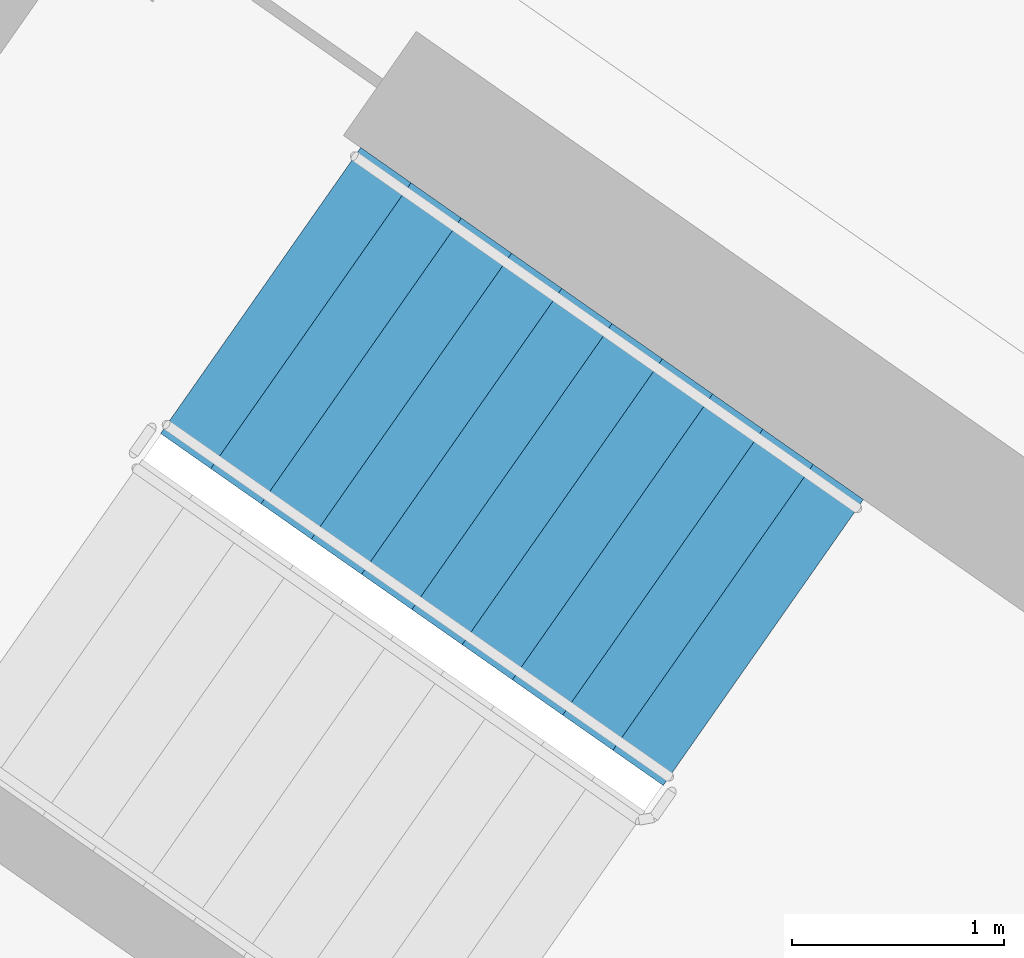
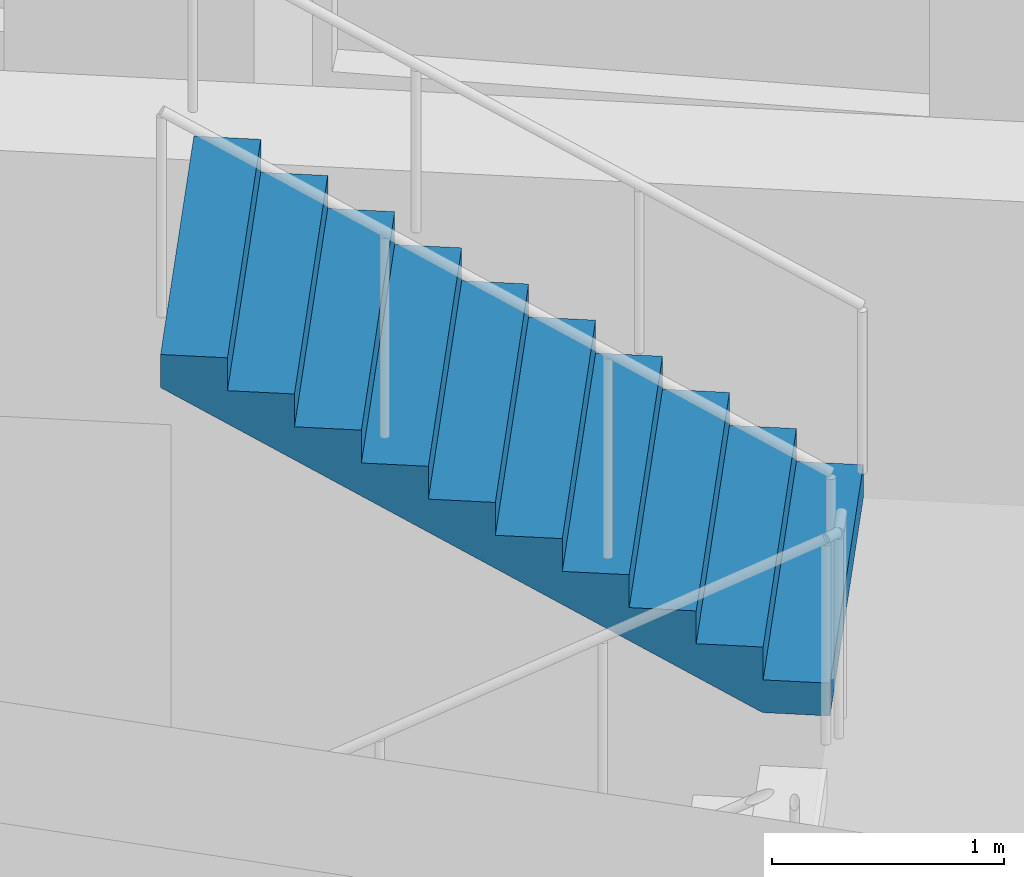
# One storey, part 12 of 26: 1 stair flight, 1 element without a shape of its own.
"""IFC4 building model written with IfcOpenShell, lengths in metres."""

from ifc_helpers import new_model, si_unit, direction, frame, origin, place, context, subcontext, project, spatial, faceted_brep, material, type_object, element, aggregate, save


model = new_model("IFC4")

# Units and contexts
model_context = context("Model", 3, precision=1e-05, world=origin(), true_north=direction((0.0, 1.0)))
body_context = subcontext(model_context, "Body", "Model", "MODEL_VIEW")
ifc_project = project(units=[si_unit("LENGTHUNIT", "METRE"), si_unit("AREAUNIT", "SQUARE_METRE"), si_unit("VOLUMEUNIT", "CUBIC_METRE"), si_unit("PLANEANGLEUNIT", "RADIAN"), si_unit("MASSUNIT", "GRAM", prefix="KILO")], contexts=[model_context])

# Site, building, storey
site_placement = place(None, origin())
site = spatial("IfcSite", under=ifc_project, at=site_placement, CompositionType="ELEMENT")
building_placement = place(site_placement, origin())
building = spatial("IfcBuilding", under=site, at=building_placement, Name="Qamariyya Broadcast Tower", CompositionType="ELEMENT")
storey_placement = place(building_placement, frame((0.0, 0.0, 156.89990234375)))
storey = spatial("IfcBuildingStorey", under=building, at=storey_placement, Name="L36", CompositionType="ELEMENT", Elevation=156.89990234375)

# Stair, stair flight
ifc_material = material(Name="Concrete C50/60", Category="concrete")
stair_type = type_object("IfcStairType", Name="Exit stair 22 risers of 173 mm", PredefinedType="HALF_TURN_STAIR", material=ifc_material)
stair_placement = place(storey_placement, origin())
stair = element("IfcStair", 1, at=stair_placement, inside=storey, type_object=stair_type, Name="L36 Stair W2", PredefinedType="HALF_TURN_STAIR")
stair_flight_type = type_object("IfcStairFlightType", Name="Exit stair flight 11 risers of 173 mm", PredefinedType="STRAIGHT", material=ifc_material)
stair_flight_placement = place(storey_placement, frame((-38.18310546875, -49.3486328125, 1.900146484375), z_axis=(0.0, 0.0, 1.0), x_axis=(-0.819152044289, 0.573576436351, 0.0)))
stair_flight = element("IfcStairFlight", 2, at=stair_flight_placement, type_object=stair_flight_type, Name="ST-W2 flight 2", NumberOfRisers=11, NumberOfTreads=10, PredefinedType="STRAIGHT", RiserHeight=0.172727273, TreadLength=0.29, context=body_context, shape_type="Brep", body=[
    faceted_brep([(0.0, 0.824951171875, 0.0), (0.0, 0.824951171875, 0.172607421875), (0.2900390625, 0.824951171875, 0.172607421875), (0.2900390625, 0.824951171875, 0.345458984375), (0.580078125, 0.824951171875, 0.345458984375), (0.580078125, 0.824951171875, 0.51806640625), (0.8701171875, 0.824951171875, 0.51806640625), (0.8701171875, 0.824951171875, 0.69091796875), (1.159912109375, 0.824951171875, 0.69091796875), (1.159912109375, 0.824951171875, 0.863525390625), (1.449951171875, 0.824951171875, 0.863525390625), (1.449951171875, 0.824951171875, 1.036376953125), (1.739990234375, 0.824951171875, 1.036376953125), (1.739990234375, 0.824951171875, 1.208984375), (2.030029296875, 0.824951171875, 1.208984375), (2.030029296875, 0.824951171875, 1.3818359375), (2.320068359375, 0.824951171875, 1.3818359375), (2.320068359375, 0.824951171875, 1.554443359375), (2.610107421875, 0.824951171875, 1.554443359375), (2.610107421875, 0.824951171875, 1.727294921875), (2.89990234375, 0.824951171875, 1.727294921875), (2.89990234375, 0.824951171875, 1.552734375), (0.29296875, 0.824951171875, 0.0), (0.29296875, -0.824951171875, 0.0), (2.89990234375, -0.824951171875, 1.552734375), (2.89990234375, -0.824951171875, 1.727294921875), (2.610107421875, -0.824951171875, 1.727294921875), (2.610107421875, -0.824951171875, 1.554443359375), (2.320068359375, -0.824951171875, 1.554443359375), (2.320068359375, -0.824951171875, 1.3818359375), (2.030029296875, -0.824951171875, 1.3818359375), (2.030029296875, -0.824951171875, 1.208984375), (1.739990234375, -0.824951171875, 1.208984375), (1.739990234375, -0.824951171875, 1.036376953125), (1.449951171875, -0.824951171875, 1.036376953125), (1.449951171875, -0.824951171875, 0.863525390625), (1.159912109375, -0.824951171875, 0.863525390625), (1.159912109375, -0.824951171875, 0.69091796875), (0.8701171875, -0.824951171875, 0.69091796875), (0.8701171875, -0.824951171875, 0.51806640625), (0.580078125, -0.824951171875, 0.51806640625), (0.580078125, -0.824951171875, 0.345458984375), (0.2900390625, -0.824951171875, 0.345458984375), (0.2900390625, -0.824951171875, 0.172607421875), (0.0, -0.824951171875, 0.172607421875), (0.0, -0.824951171875, 0.0), (0.0, 0.10009765625, 0.0), (0.0, 0.086669921875, 0.0), (0.0, 0.0732421875, 0.0), (0.0, 0.06005859375, 0.0), (0.0, 0.046630859375, 0.0), (0.0, 0.033447265625, 0.0), (0.0, 0.02001953125, 0.0), (0.0, 0.006591796875, 0.0), (0.0, -0.006591796875, 0.0), (0.0, -0.02001953125, 0.0), (0.0, -0.033447265625, 0.0), (0.0, -0.046630859375, 0.0), (0.0, -0.06005859375, 0.0), (0.0, -0.0732421875, 0.0), (0.0, -0.086669921875, 0.0), (0.0, -0.10009765625, 0.0), (0.0, -0.10009765625, 0.172607421875), (0.0, -0.086669921875, 0.172607421875), (0.0, -0.0732421875, 0.172607421875), (0.0, -0.06005859375, 0.172607421875), (0.0, -0.046630859375, 0.172607421875), (0.0, -0.033447265625, 0.172607421875), (0.0, -0.02001953125, 0.172607421875), (0.0, -0.006591796875, 0.172607421875), (0.0, 0.006591796875, 0.172607421875), (0.0, 0.02001953125, 0.172607421875), (0.0, 0.033447265625, 0.172607421875), (0.0, 0.046630859375, 0.172607421875), (0.0, 0.06005859375, 0.172607421875), (0.0, 0.0732421875, 0.172607421875), (0.0, 0.086669921875, 0.172607421875), (0.0, 0.10009765625, 0.172607421875), (0.2900390625, -0.10009765625, 0.172607421875), (0.2900390625, -0.086669921875, 0.172607421875), (0.2900390625, -0.0732421875, 0.172607421875), (0.2900390625, -0.06005859375, 0.172607421875), (0.2900390625, -0.046630859375, 0.172607421875), (0.2900390625, -0.033447265625, 0.172607421875), (0.2900390625, -0.02001953125, 0.172607421875), (0.2900390625, -0.006591796875, 0.172607421875), (0.2900390625, 0.006591796875, 0.172607421875), (0.2900390625, 0.02001953125, 0.172607421875), (0.2900390625, 0.033447265625, 0.172607421875), (0.2900390625, 0.046630859375, 0.172607421875), (0.2900390625, 0.06005859375, 0.172607421875), (0.2900390625, 0.0732421875, 0.172607421875), (0.2900390625, 0.086669921875, 0.172607421875), (0.2900390625, 0.10009765625, 0.172607421875), (0.2900390625, -0.10009765625, 0.345458984375), (0.2900390625, -0.086669921875, 0.345458984375), (0.2900390625, -0.0732421875, 0.345458984375), (0.2900390625, -0.06005859375, 0.345458984375), (0.2900390625, -0.046630859375, 0.345458984375), (0.2900390625, -0.033447265625, 0.345458984375), (0.2900390625, -0.02001953125, 0.345458984375), (0.2900390625, -0.006591796875, 0.345458984375), (0.2900390625, 0.006591796875, 0.345458984375), (0.2900390625, 0.02001953125, 0.345458984375), (0.2900390625, 0.033447265625, 0.345458984375), (0.2900390625, 0.046630859375, 0.345458984375), (0.2900390625, 0.06005859375, 0.345458984375), (0.2900390625, 0.0732421875, 0.345458984375), (0.2900390625, 0.086669921875, 0.345458984375), (0.2900390625, 0.10009765625, 0.345458984375), (0.580078125, -0.10009765625, 0.345458984375), (0.580078125, -0.086669921875, 0.345458984375), (0.580078125, -0.0732421875, 0.345458984375), (0.580078125, -0.06005859375, 0.345458984375), (0.580078125, -0.046630859375, 0.345458984375), (0.580078125, -0.033447265625, 0.345458984375), (0.580078125, -0.02001953125, 0.345458984375), (0.580078125, -0.006591796875, 0.345458984375), (0.580078125, 0.006591796875, 0.345458984375), (0.580078125, 0.02001953125, 0.345458984375), (0.580078125, 0.033447265625, 0.345458984375), (0.580078125, 0.046630859375, 0.345458984375), (0.580078125, 0.06005859375, 0.345458984375), (0.580078125, 0.0732421875, 0.345458984375), (0.580078125, 0.086669921875, 0.345458984375), (0.580078125, 0.10009765625, 0.345458984375), (0.580078125, -0.10009765625, 0.51806640625), (0.580078125, -0.086669921875, 0.51806640625), (0.580078125, -0.0732421875, 0.51806640625), (0.580078125, -0.06005859375, 0.51806640625), (0.580078125, -0.046630859375, 0.51806640625), (0.580078125, -0.033447265625, 0.51806640625), (0.580078125, -0.02001953125, 0.51806640625), (0.580078125, -0.006591796875, 0.51806640625), (0.580078125, 0.006591796875, 0.51806640625), (0.580078125, 0.02001953125, 0.51806640625), (0.580078125, 0.033447265625, 0.51806640625), (0.580078125, 0.046630859375, 0.51806640625), (0.580078125, 0.06005859375, 0.51806640625), (0.580078125, 0.0732421875, 0.51806640625), (0.580078125, 0.086669921875, 0.51806640625), (0.580078125, 0.10009765625, 0.51806640625), (0.8701171875, -0.10009765625, 0.51806640625), (0.8701171875, -0.086669921875, 0.51806640625), (0.8701171875, -0.0732421875, 0.51806640625), (0.8701171875, -0.06005859375, 0.51806640625), (0.8701171875, -0.046630859375, 0.51806640625), (0.8701171875, -0.033447265625, 0.51806640625), (0.8701171875, -0.02001953125, 0.51806640625), (0.8701171875, -0.006591796875, 0.51806640625), (0.8701171875, 0.006591796875, 0.51806640625), (0.8701171875, 0.02001953125, 0.51806640625), (0.8701171875, 0.033447265625, 0.51806640625), (0.8701171875, 0.046630859375, 0.51806640625), (0.8701171875, 0.06005859375, 0.51806640625), (0.8701171875, 0.0732421875, 0.51806640625), (0.8701171875, 0.086669921875, 0.51806640625), (0.8701171875, 0.10009765625, 0.51806640625), (0.8701171875, -0.10009765625, 0.69091796875), (0.8701171875, -0.086669921875, 0.69091796875), (0.8701171875, -0.0732421875, 0.69091796875), (0.8701171875, -0.06005859375, 0.69091796875), (0.8701171875, -0.046630859375, 0.69091796875), (0.8701171875, -0.033447265625, 0.69091796875), (0.8701171875, -0.02001953125, 0.69091796875), (0.8701171875, -0.006591796875, 0.69091796875), (0.8701171875, 0.006591796875, 0.69091796875), (0.8701171875, 0.02001953125, 0.69091796875), (0.8701171875, 0.033447265625, 0.69091796875), (0.8701171875, 0.046630859375, 0.69091796875), (0.8701171875, 0.06005859375, 0.69091796875), (0.8701171875, 0.0732421875, 0.69091796875), (0.8701171875, 0.086669921875, 0.69091796875), (0.8701171875, 0.10009765625, 0.69091796875), (1.159912109375, -0.10009765625, 0.69091796875), (1.159912109375, -0.086669921875, 0.69091796875), (1.159912109375, -0.0732421875, 0.69091796875), (1.159912109375, -0.06005859375, 0.69091796875), (1.159912109375, -0.046630859375, 0.69091796875), (1.159912109375, -0.033447265625, 0.69091796875), (1.159912109375, -0.02001953125, 0.69091796875), (1.159912109375, -0.006591796875, 0.69091796875), (1.159912109375, 0.006591796875, 0.69091796875), (1.159912109375, 0.02001953125, 0.69091796875), (1.159912109375, 0.033447265625, 0.69091796875), (1.159912109375, 0.046630859375, 0.69091796875), (1.159912109375, 0.06005859375, 0.69091796875), (1.159912109375, 0.0732421875, 0.69091796875), (1.159912109375, 0.086669921875, 0.69091796875), (1.159912109375, 0.10009765625, 0.69091796875), (1.159912109375, -0.10009765625, 0.863525390625), (1.159912109375, -0.086669921875, 0.863525390625), (1.159912109375, -0.0732421875, 0.863525390625), (1.159912109375, -0.06005859375, 0.863525390625), (1.159912109375, -0.046630859375, 0.863525390625), (1.159912109375, -0.033447265625, 0.863525390625), (1.159912109375, -0.02001953125, 0.863525390625), (1.159912109375, -0.006591796875, 0.863525390625), (1.159912109375, 0.006591796875, 0.863525390625), (1.159912109375, 0.02001953125, 0.863525390625), (1.159912109375, 0.033447265625, 0.863525390625), (1.159912109375, 0.046630859375, 0.863525390625), (1.159912109375, 0.06005859375, 0.863525390625), (1.159912109375, 0.0732421875, 0.863525390625), (1.159912109375, 0.086669921875, 0.863525390625), (1.159912109375, 0.10009765625, 0.863525390625), (1.449951171875, -0.10009765625, 0.863525390625), (1.449951171875, -0.086669921875, 0.863525390625), (1.449951171875, -0.0732421875, 0.863525390625), (1.449951171875, -0.06005859375, 0.863525390625), (1.449951171875, -0.046630859375, 0.863525390625), (1.449951171875, -0.033447265625, 0.863525390625), (1.449951171875, -0.02001953125, 0.863525390625), (1.449951171875, -0.006591796875, 0.863525390625), (1.449951171875, 0.006591796875, 0.863525390625), (1.449951171875, 0.02001953125, 0.863525390625), (1.449951171875, 0.033447265625, 0.863525390625), (1.449951171875, 0.046630859375, 0.863525390625), (1.449951171875, 0.06005859375, 0.863525390625), (1.449951171875, 0.0732421875, 0.863525390625), (1.449951171875, 0.086669921875, 0.863525390625), (1.449951171875, 0.10009765625, 0.863525390625), (1.449951171875, -0.10009765625, 1.036376953125), (1.449951171875, -0.086669921875, 1.036376953125), (1.449951171875, -0.0732421875, 1.036376953125), (1.449951171875, -0.06005859375, 1.036376953125), (1.449951171875, -0.046630859375, 1.036376953125), (1.449951171875, -0.033447265625, 1.036376953125), (1.449951171875, -0.02001953125, 1.036376953125), (1.449951171875, -0.006591796875, 1.036376953125), (1.449951171875, 0.006591796875, 1.036376953125), (1.449951171875, 0.02001953125, 1.036376953125), (1.449951171875, 0.033447265625, 1.036376953125), (1.449951171875, 0.046630859375, 1.036376953125), (1.449951171875, 0.06005859375, 1.036376953125), (1.449951171875, 0.0732421875, 1.036376953125), (1.449951171875, 0.086669921875, 1.036376953125), (1.449951171875, 0.10009765625, 1.036376953125), (1.739990234375, -0.10009765625, 1.036376953125), (1.739990234375, -0.086669921875, 1.036376953125), (1.739990234375, -0.0732421875, 1.036376953125), (1.739990234375, -0.06005859375, 1.036376953125), (1.739990234375, -0.046630859375, 1.036376953125), (1.739990234375, -0.033447265625, 1.036376953125), (1.739990234375, -0.02001953125, 1.036376953125), (1.739990234375, -0.006591796875, 1.036376953125), (1.739990234375, 0.006591796875, 1.036376953125), (1.739990234375, 0.02001953125, 1.036376953125), (1.739990234375, 0.033447265625, 1.036376953125), (1.739990234375, 0.046630859375, 1.036376953125), (1.739990234375, 0.06005859375, 1.036376953125), (1.739990234375, 0.0732421875, 1.036376953125), (1.739990234375, 0.086669921875, 1.036376953125), (1.739990234375, 0.10009765625, 1.036376953125), (1.739990234375, -0.10009765625, 1.208984375), (1.739990234375, -0.086669921875, 1.208984375), (1.739990234375, -0.0732421875, 1.208984375), (1.739990234375, -0.06005859375, 1.208984375), (1.739990234375, -0.046630859375, 1.208984375), (1.739990234375, -0.033447265625, 1.208984375), (1.739990234375, -0.02001953125, 1.208984375), (1.739990234375, -0.006591796875, 1.208984375), (1.739990234375, 0.006591796875, 1.208984375), (1.739990234375, 0.02001953125, 1.208984375), (1.739990234375, 0.033447265625, 1.208984375), (1.739990234375, 0.046630859375, 1.208984375), (1.739990234375, 0.06005859375, 1.208984375), (1.739990234375, 0.0732421875, 1.208984375), (1.739990234375, 0.086669921875, 1.208984375), (1.739990234375, 0.10009765625, 1.208984375), (2.030029296875, -0.10009765625, 1.208984375), (2.030029296875, -0.086669921875, 1.208984375), (2.030029296875, -0.0732421875, 1.208984375), (2.030029296875, -0.06005859375, 1.208984375), (2.030029296875, -0.046630859375, 1.208984375), (2.030029296875, -0.033447265625, 1.208984375), (2.030029296875, -0.02001953125, 1.208984375), (2.030029296875, -0.006591796875, 1.208984375), (2.030029296875, 0.006591796875, 1.208984375), (2.030029296875, 0.02001953125, 1.208984375), (2.030029296875, 0.033447265625, 1.208984375), (2.030029296875, 0.046630859375, 1.208984375), (2.030029296875, 0.06005859375, 1.208984375), (2.030029296875, 0.0732421875, 1.208984375), (2.030029296875, 0.086669921875, 1.208984375), (2.030029296875, 0.10009765625, 1.208984375), (2.030029296875, -0.10009765625, 1.3818359375), (2.030029296875, -0.086669921875, 1.3818359375), (2.030029296875, -0.0732421875, 1.3818359375), (2.030029296875, -0.06005859375, 1.3818359375), (2.030029296875, -0.046630859375, 1.3818359375), (2.030029296875, -0.033447265625, 1.3818359375), (2.030029296875, -0.02001953125, 1.3818359375), (2.030029296875, -0.006591796875, 1.3818359375), (2.030029296875, 0.006591796875, 1.3818359375), (2.030029296875, 0.02001953125, 1.3818359375), (2.030029296875, 0.033447265625, 1.3818359375), (2.030029296875, 0.046630859375, 1.3818359375), (2.030029296875, 0.06005859375, 1.3818359375), (2.030029296875, 0.0732421875, 1.3818359375), (2.030029296875, 0.086669921875, 1.3818359375), (2.030029296875, 0.10009765625, 1.3818359375), (2.320068359375, -0.10009765625, 1.3818359375), (2.320068359375, -0.086669921875, 1.3818359375), (2.320068359375, -0.0732421875, 1.3818359375), (2.320068359375, -0.06005859375, 1.3818359375), (2.320068359375, -0.046630859375, 1.3818359375), (2.320068359375, -0.033447265625, 1.3818359375), (2.320068359375, -0.02001953125, 1.3818359375), (2.320068359375, -0.006591796875, 1.3818359375), (2.320068359375, 0.006591796875, 1.3818359375), (2.320068359375, 0.02001953125, 1.3818359375), (2.320068359375, 0.033447265625, 1.3818359375), (2.320068359375, 0.046630859375, 1.3818359375), (2.320068359375, 0.06005859375, 1.3818359375), (2.320068359375, 0.0732421875, 1.3818359375), (2.320068359375, 0.086669921875, 1.3818359375), (2.320068359375, 0.10009765625, 1.3818359375), (2.320068359375, -0.10009765625, 1.554443359375), (2.320068359375, -0.086669921875, 1.554443359375), (2.320068359375, -0.0732421875, 1.554443359375), (2.320068359375, -0.06005859375, 1.554443359375), (2.320068359375, -0.046630859375, 1.554443359375), (2.320068359375, -0.033447265625, 1.554443359375), (2.320068359375, -0.02001953125, 1.554443359375), (2.320068359375, -0.006591796875, 1.554443359375), (2.320068359375, 0.006591796875, 1.554443359375), (2.320068359375, 0.02001953125, 1.554443359375), (2.320068359375, 0.033447265625, 1.554443359375), (2.320068359375, 0.046630859375, 1.554443359375), (2.320068359375, 0.06005859375, 1.554443359375), (2.320068359375, 0.0732421875, 1.554443359375), (2.320068359375, 0.086669921875, 1.554443359375), (2.320068359375, 0.10009765625, 1.554443359375), (2.610107421875, -0.10009765625, 1.554443359375), (2.610107421875, -0.086669921875, 1.554443359375), (2.610107421875, -0.0732421875, 1.554443359375), (2.610107421875, -0.06005859375, 1.554443359375), (2.610107421875, -0.046630859375, 1.554443359375), (2.610107421875, -0.033447265625, 1.554443359375), (2.610107421875, -0.02001953125, 1.554443359375), (2.610107421875, -0.006591796875, 1.554443359375), (2.610107421875, 0.006591796875, 1.554443359375), (2.610107421875, 0.02001953125, 1.554443359375), (2.610107421875, 0.033447265625, 1.554443359375), (2.610107421875, 0.046630859375, 1.554443359375), (2.610107421875, 0.06005859375, 1.554443359375), (2.610107421875, 0.0732421875, 1.554443359375), (2.610107421875, 0.086669921875, 1.554443359375), (2.610107421875, 0.10009765625, 1.554443359375), (2.610107421875, -0.10009765625, 1.727294921875), (2.610107421875, -0.086669921875, 1.727294921875), (2.610107421875, -0.0732421875, 1.727294921875), (2.610107421875, -0.06005859375, 1.727294921875), (2.610107421875, -0.046630859375, 1.727294921875), (2.610107421875, -0.033447265625, 1.727294921875), (2.610107421875, -0.02001953125, 1.727294921875), (2.610107421875, -0.006591796875, 1.727294921875), (2.610107421875, 0.006591796875, 1.727294921875), (2.610107421875, 0.02001953125, 1.727294921875), (2.610107421875, 0.033447265625, 1.727294921875), (2.610107421875, 0.046630859375, 1.727294921875), (2.610107421875, 0.06005859375, 1.727294921875), (2.610107421875, 0.0732421875, 1.727294921875), (2.610107421875, 0.086669921875, 1.727294921875), (2.610107421875, 0.10009765625, 1.727294921875), (2.89990234375, -0.10009765625, 1.727294921875), (2.89990234375, -0.086669921875, 1.727294921875), (2.89990234375, -0.0732421875, 1.727294921875), (2.89990234375, -0.06005859375, 1.727294921875), (2.89990234375, -0.046630859375, 1.727294921875), (2.89990234375, -0.033447265625, 1.727294921875), (2.89990234375, -0.02001953125, 1.727294921875), (2.89990234375, -0.006591796875, 1.727294921875), (2.89990234375, 0.006591796875, 1.727294921875), (2.89990234375, 0.02001953125, 1.727294921875), (2.89990234375, 0.033447265625, 1.727294921875), (2.89990234375, 0.046630859375, 1.727294921875), (2.89990234375, 0.06005859375, 1.727294921875), (2.89990234375, 0.0732421875, 1.727294921875), (2.89990234375, 0.086669921875, 1.727294921875), (2.89990234375, 0.10009765625, 1.727294921875), (2.89990234375, -0.10009765625, 1.552734375), (2.89990234375, -0.086669921875, 1.552734375), (2.89990234375, -0.0732421875, 1.552734375), (2.89990234375, -0.06005859375, 1.552734375), (2.89990234375, -0.046630859375, 1.552734375), (2.89990234375, -0.033447265625, 1.552734375), (2.89990234375, -0.02001953125, 1.552734375), (2.89990234375, -0.006591796875, 1.552734375), (2.89990234375, 0.006591796875, 1.552734375), (2.89990234375, 0.02001953125, 1.552734375), (2.89990234375, 0.033447265625, 1.552734375), (2.89990234375, 0.046630859375, 1.552734375), (2.89990234375, 0.06005859375, 1.552734375), (2.89990234375, 0.0732421875, 1.552734375), (2.89990234375, 0.086669921875, 1.552734375), (2.89990234375, 0.10009765625, 1.552734375), (0.29296875, -0.10009765625, 0.0), (0.29296875, -0.086669921875, 0.0), (0.29296875, -0.0732421875, 0.0), (0.29296875, -0.06005859375, 0.0), (0.29296875, -0.046630859375, 0.0), (0.29296875, -0.033447265625, 0.0), (0.29296875, -0.02001953125, 0.0), (0.29296875, -0.006591796875, 0.0), (0.29296875, 0.006591796875, 0.0), (0.29296875, 0.02001953125, 0.0), (0.29296875, 0.033447265625, 0.0), (0.29296875, 0.046630859375, 0.0), (0.29296875, 0.06005859375, 0.0), (0.29296875, 0.0732421875, 0.0), (0.29296875, 0.086669921875, 0.0), (0.29296875, 0.10009765625, 0.0)], [[[0, 1, 2, 3, 4, 5, 6, 7, 8, 9, 10, 11, 12, 13, 14, 15, 16, 17, 18, 19, 20, 21, 22]], [[23, 24, 25, 26, 27, 28, 29, 30, 31, 32, 33, 34, 35, 36, 37, 38, 39, 40, 41, 42, 43, 44, 45]], [[0, 46, 47, 48, 49, 50, 51, 52, 53, 54, 55, 56, 57, 58, 59, 60, 61, 45, 44, 62, 63, 64, 65, 66, 67, 68, 69, 70, 71, 72, 73, 74, 75, 76, 77, 1]], [[1, 77, 76, 75, 74, 73, 72, 71, 70, 69, 68, 67, 66, 65, 64, 63, 62, 44, 43, 78, 79, 80, 81, 82, 83, 84, 85, 86, 87, 88, 89, 90, 91, 92, 93, 2]], [[2, 93, 92, 91, 90, 89, 88, 87, 86, 85, 84, 83, 82, 81, 80, 79, 78, 43, 42, 94, 95, 96, 97, 98, 99, 100, 101, 102, 103, 104, 105, 106, 107, 108, 109, 3]], [[3, 109, 108, 107, 106, 105, 104, 103, 102, 101, 100, 99, 98, 97, 96, 95, 94, 42, 41, 110, 111, 112, 113, 114, 115, 116, 117, 118, 119, 120, 121, 122, 123, 124, 125, 4]], [[4, 125, 124, 123, 122, 121, 120, 119, 118, 117, 116, 115, 114, 113, 112, 111, 110, 41, 40, 126, 127, 128, 129, 130, 131, 132, 133, 134, 135, 136, 137, 138, 139, 140, 141, 5]], [[5, 141, 140, 139, 138, 137, 136, 135, 134, 133, 132, 131, 130, 129, 128, 127, 126, 40, 39, 142, 143, 144, 145, 146, 147, 148, 149, 150, 151, 152, 153, 154, 155, 156, 157, 6]], [[6, 157, 156, 155, 154, 153, 152, 151, 150, 149, 148, 147, 146, 145, 144, 143, 142, 39, 38, 158, 159, 160, 161, 162, 163, 164, 165, 166, 167, 168, 169, 170, 171, 172, 173, 7]], [[7, 173, 172, 171, 170, 169, 168, 167, 166, 165, 164, 163, 162, 161, 160, 159, 158, 38, 37, 174, 175, 176, 177, 178, 179, 180, 181, 182, 183, 184, 185, 186, 187, 188, 189, 8]], [[8, 189, 188, 187, 186, 185, 184, 183, 182, 181, 180, 179, 178, 177, 176, 175, 174, 37, 36, 190, 191, 192, 193, 194, 195, 196, 197, 198, 199, 200, 201, 202, 203, 204, 205, 9]], [[9, 205, 204, 203, 202, 201, 200, 199, 198, 197, 196, 195, 194, 193, 192, 191, 190, 36, 35, 206, 207, 208, 209, 210, 211, 212, 213, 214, 215, 216, 217, 218, 219, 220, 221, 10]], [[10, 221, 220, 219, 218, 217, 216, 215, 214, 213, 212, 211, 210, 209, 208, 207, 206, 35, 34, 222, 223, 224, 225, 226, 227, 228, 229, 230, 231, 232, 233, 234, 235, 236, 237, 11]], [[11, 237, 236, 235, 234, 233, 232, 231, 230, 229, 228, 227, 226, 225, 224, 223, 222, 34, 33, 238, 239, 240, 241, 242, 243, 244, 245, 246, 247, 248, 249, 250, 251, 252, 253, 12]], [[12, 253, 252, 251, 250, 249, 248, 247, 246, 245, 244, 243, 242, 241, 240, 239, 238, 33, 32, 254, 255, 256, 257, 258, 259, 260, 261, 262, 263, 264, 265, 266, 267, 268, 269, 13]], [[13, 269, 268, 267, 266, 265, 264, 263, 262, 261, 260, 259, 258, 257, 256, 255, 254, 32, 31, 270, 271, 272, 273, 274, 275, 276, 277, 278, 279, 280, 281, 282, 283, 284, 285, 14]], [[14, 285, 284, 283, 282, 281, 280, 279, 278, 277, 276, 275, 274, 273, 272, 271, 270, 31, 30, 286, 287, 288, 289, 290, 291, 292, 293, 294, 295, 296, 297, 298, 299, 300, 301, 15]], [[15, 301, 300, 299, 298, 297, 296, 295, 294, 293, 292, 291, 290, 289, 288, 287, 286, 30, 29, 302, 303, 304, 305, 306, 307, 308, 309, 310, 311, 312, 313, 314, 315, 316, 317, 16]], [[16, 317, 316, 315, 314, 313, 312, 311, 310, 309, 308, 307, 306, 305, 304, 303, 302, 29, 28, 318, 319, 320, 321, 322, 323, 324, 325, 326, 327, 328, 329, 330, 331, 332, 333, 17]], [[17, 333, 332, 331, 330, 329, 328, 327, 326, 325, 324, 323, 322, 321, 320, 319, 318, 28, 27, 334, 335, 336, 337, 338, 339, 340, 341, 342, 343, 344, 345, 346, 347, 348, 349, 18]], [[18, 349, 348, 347, 346, 345, 344, 343, 342, 341, 340, 339, 338, 337, 336, 335, 334, 27, 26, 350, 351, 352, 353, 354, 355, 356, 357, 358, 359, 360, 361, 362, 363, 364, 365, 19]], [[19, 365, 364, 363, 362, 361, 360, 359, 358, 357, 356, 355, 354, 353, 352, 351, 350, 26, 25, 366, 367, 368, 369, 370, 371, 372, 373, 374, 375, 376, 377, 378, 379, 380, 381, 20]], [[20, 381, 380, 379, 378, 377, 376, 375, 374, 373, 372, 371, 370, 369, 368, 367, 366, 25, 24, 382, 383, 384, 385, 386, 387, 388, 389, 390, 391, 392, 393, 394, 395, 396, 397, 21]], [[21, 397, 396, 395, 394, 393, 392, 391, 390, 389, 388, 387, 386, 385, 384, 383, 382, 24, 23, 398, 399, 400, 401, 402, 403, 404, 405, 406, 407, 408, 409, 410, 411, 412, 413, 22]], [[22, 413, 412, 411, 410, 409, 408, 407, 406, 405, 404, 403, 402, 401, 400, 399, 398, 23, 45, 61, 60, 59, 58, 57, 56, 55, 54, 53, 52, 51, 50, 49, 48, 47, 46, 0]]]),
])
aggregate(stair, [stair_flight])

save(model, "model.ifc")
